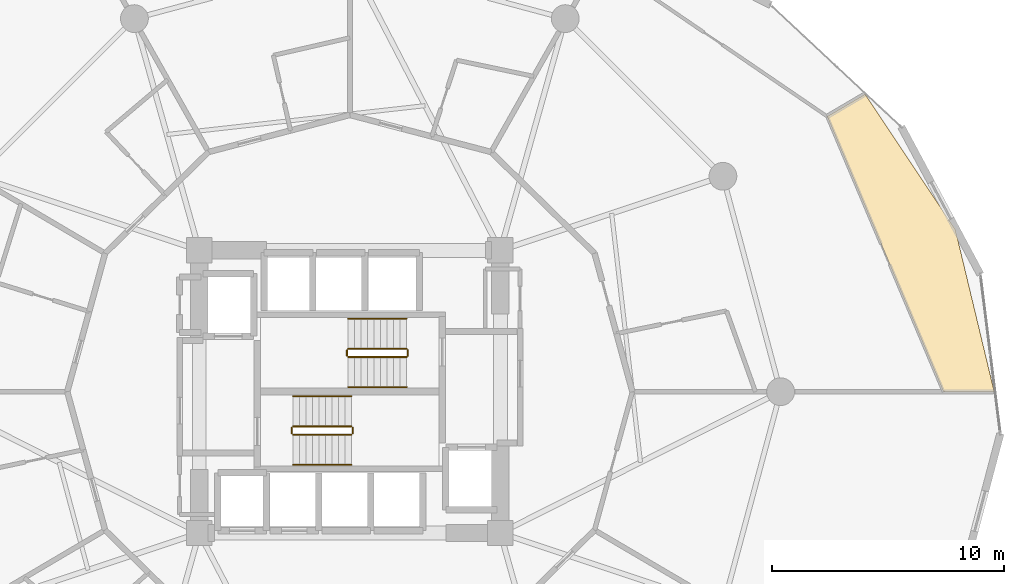
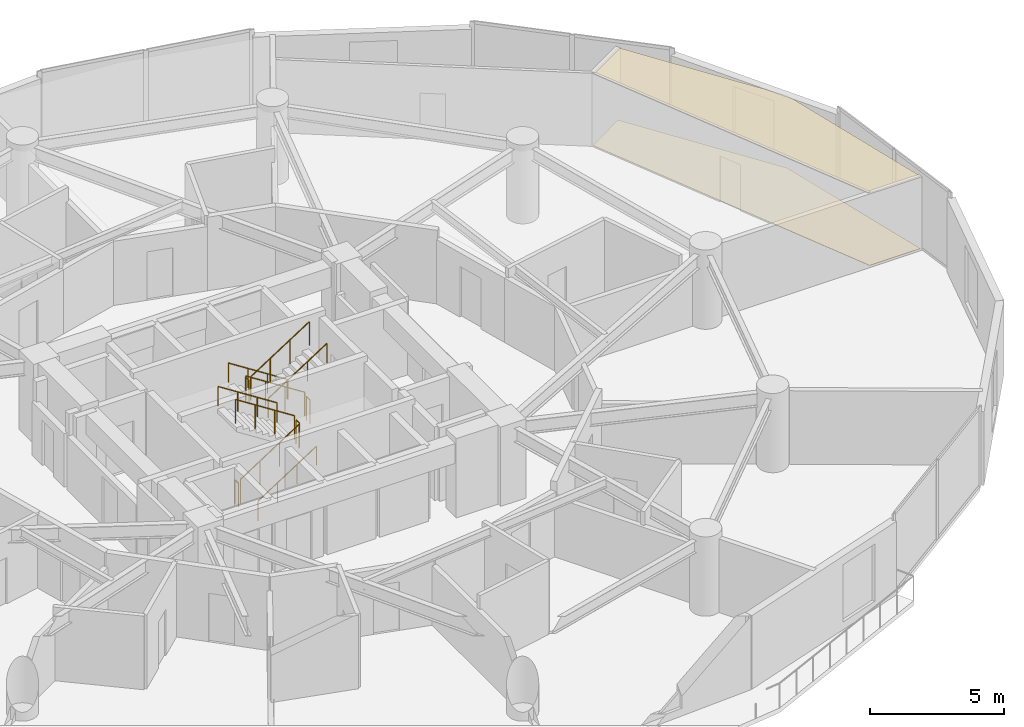
# One storey, part 25 of 26: 12 railings, 2 coverings.
"""IFC4 building model written with IfcOpenShell, lengths in metres."""

from ifc_helpers import new_model, si_unit, direction, frame, origin, origin_2d, place, context, subcontext, project, spatial, polyline, circle, outline, extrude, material, layer, layer_set, type_object, element, save


model = new_model("IFC4")

# Units and contexts
model_context = context("Model", 3, precision=1e-05, world=origin(), true_north=direction((0.0, 1.0)))
body_context = subcontext(model_context, "Body", "Model", "MODEL_VIEW")
ifc_project = project(units=[si_unit("LENGTHUNIT", "METRE"), si_unit("AREAUNIT", "SQUARE_METRE"), si_unit("VOLUMEUNIT", "CUBIC_METRE"), si_unit("PLANEANGLEUNIT", "RADIAN"), si_unit("MASSUNIT", "GRAM", prefix="KILO")], contexts=[model_context])

# Site, building, storey
site_placement = place(None, origin())
site = spatial("IfcSite", under=ifc_project, at=site_placement, CompositionType="ELEMENT")
building_placement = place(site_placement, origin())
building = spatial("IfcBuilding", under=site, at=building_placement, Name="Solvirekh Grand Hotel", CompositionType="ELEMENT")
storey_placement = place(building_placement, frame((0.0, 0.0, 35.60009765625)))
storey = spatial("IfcBuildingStorey", under=building, at=storey_placement, Name="L07", CompositionType="ELEMENT", Elevation=35.60009765625)

# Coverings
ifc_material_1 = material(Name="Acoustic Mineral Ceiling Tile")
ifc_layer_1 = layer(ifc_material_1, 0.02490234375)
ifc_layer_set_1 = layer_set([ifc_layer_1], Name="Acoustic Mineral Ceiling Tile")
covering_type_1 = type_object("IfcCoveringType", Name="Cov_Ceiling_Acoustic", PredefinedType="CEILING", material=ifc_layer_set_1)
covering_1_placement = place(storey_placement, frame((0.0, 0.0, 3.289794921875)))
element("IfcCovering", 1, at=covering_1_placement, inside=storey, type_object=covering_type_1, Name="L07 Executive Suite 0901 Master Bedroom acoustic ceiling", PredefinedType="CEILING", context=body_context, shape_type="SweptSolid", body=[
    extrude(outline(polyline([(27.822021484375, 0.0), (26.14208984375, 7.0048828125), (22.248046875, 12.844970703125), (20.613037109375, 11.883056640625), (25.635009765625, 0.0), (27.822021484375, 0.0)])), origin(), (0.0, 0.0, 1.0), 0.01806640625),
])
ifc_material_2 = material(Name="Porcelain Stoneware Flooring", Category="masonry")
ifc_layer_2 = layer(ifc_material_2, 0.030029296875)
ifc_layer_set_2 = layer_set([ifc_layer_2], Name="Porcelain Stoneware Flooring")
covering_type_2 = type_object("IfcCoveringType", Name="Cov_Floor_Stone", PredefinedType="FLOORING", material=ifc_layer_set_2)
covering_2_placement = place(storey_placement, origin())
element("IfcCovering", 2, at=covering_2_placement, inside=storey, type_object=covering_type_2, Name="L07 Executive Suite 0901 Master Bedroom polished granite flooring", PredefinedType="FLOORING", context=body_context, shape_type="SweptSolid", body=[
    extrude(outline(polyline([(27.822021484375, 0.0), (26.14208984375, 7.0048828125), (22.248046875, 12.844970703125), (20.613037109375, 11.883056640625), (25.635009765625, 0.0), (27.822021484375, 0.0)])), origin(), (0.0, 0.0, 1.0), 0.02001953125),
])

# Railings
ifc_material_3 = material(Name="Steel S355", Category="steel")
railing_type_1 = type_object("IfcRailingType", Name="Guard_Stair_1100", PredefinedType="GUARDRAIL", material=ifc_material_3)
railing_1_placement = place(storey_placement, frame((-2.449951171875, -1.85009765625, 0.179931640625)))
element("IfcRailing", 3, at=railing_1_placement, inside=storey, type_object=railing_type_1, Name="L07 ST-1 stair guard 1", PredefinedType="GUARDRAIL", context=body_context, shape_type="SweptSolid", body=[
    extrude(circle(Radius=0.02392578125, at=origin_2d()), frame((0.0, 0.0, 1.076171875), z_axis=(0.841199657755, 0.0, 0.540724639528), x_axis=(0.0, 1.0, 0.0)), (0.0, 0.0, 1.0), 2.995849609375),
    extrude(circle(Radius=0.02099609375, at=origin_2d()), origin(), (0.0, 0.0, 1.0), 1.052001953125),
    extrude(circle(Radius=0.02099609375, at=origin_2d()), frame((0.840087890625, 0.0, 0.5400390625)), (0.0, 0.0, 1.0), 1.052001953125),
    extrude(circle(Radius=0.02099609375, at=origin_2d()), frame((1.679931640625, 0.0, 1.079833984375)), (0.0, 0.0, 1.0), 1.052001953125),
    extrude(circle(Radius=0.02099609375, at=origin_2d()), frame((2.52001953125, 0.0, 1.619873046875)), (0.0, 0.0, 1.0), 1.052001953125),
])
railing_2_placement = place(storey_placement, frame((0.1201171875, -1.800048828125, 1.7998046875)))
element("IfcRailing", 4, at=railing_2_placement, inside=storey, type_object=railing_type_1, Name="L07 ST-1 stair guard 2", PredefinedType="GUARDRAIL", context=body_context, shape_type="SweptSolid", body=[
    extrude(circle(Radius=0.02392578125, at=origin_2d()), frame((0.0, 0.0, 1.076171875), z_axis=(0.0, 1.0, 0.0), x_axis=(-1.0, 0.0, 0.0)), (0.0, 0.0, 1.0), 0.25),
    extrude(circle(Radius=0.02099609375, at=origin_2d()), origin(), (0.0, 0.0, 1.0), 1.052001953125),
    extrude(circle(Radius=0.02099609375, at=origin_2d()), frame((0.0, 0.25, 0.0)), (0.0, 0.0, 1.0), 1.052001953125),
])
railing_3_placement = place(storey_placement, frame((0.070068359375, -1.5, 1.97998046875)))
element("IfcRailing", 5, at=railing_3_placement, inside=storey, type_object=railing_type_1, Name="L07 ST-1 stair guard 3", PredefinedType="GUARDRAIL", context=body_context, shape_type="SweptSolid", body=[
    extrude(circle(Radius=0.02392578125, at=origin_2d()), frame((0.0, 0.0, 1.076171875), z_axis=(-0.841199657755, 0.0, 0.540724639528), x_axis=(0.0, -1.0, 0.0)), (0.0, 0.0, 1.0), 2.995849609375),
    extrude(circle(Radius=0.02099609375, at=origin_2d()), origin(), (0.0, 0.0, 1.0), 1.052001953125),
    extrude(circle(Radius=0.02099609375, at=origin_2d()), frame((-0.840087890625, 0.0, 0.5400390625)), (0.0, 0.0, 1.0), 1.052001953125),
    extrude(circle(Radius=0.02099609375, at=origin_2d()), frame((-1.679931640625, 0.0, 1.079833984375)), (0.0, 0.0, 1.0), 1.052001953125),
    extrude(circle(Radius=0.02099609375, at=origin_2d()), frame((-2.52001953125, 0.0, 1.619873046875)), (0.0, 0.0, 1.0), 1.052001953125),
])
railing_4_placement = place(storey_placement, frame((-2.5, -1.800048828125, 0.0)))
element("IfcRailing", 6, at=railing_4_placement, inside=storey, type_object=railing_type_1, Name="L07 ST-1 stair guard 4", PredefinedType="GUARDRAIL", context=body_context, shape_type="SweptSolid", body=[
    extrude(circle(Radius=0.02392578125, at=origin_2d()), frame((0.0, 0.0, 1.076171875), z_axis=(0.0, 1.0, 0.0), x_axis=(-1.0, 0.0, 0.0)), (0.0, 0.0, 1.0), 0.25),
    extrude(circle(Radius=0.02099609375, at=origin_2d()), origin(), (0.0, 0.0, 1.0), 1.052001953125),
    extrude(circle(Radius=0.02099609375, at=origin_2d()), frame((0.0, 0.25, 0.0)), (0.0, 0.0, 1.0), 1.052001953125),
])
railing_5_placement = place(storey_placement, frame((2.449951171875, 1.85009765625, 0.179931640625)))
element("IfcRailing", 7, at=railing_5_placement, inside=storey, type_object=railing_type_1, Name="L07 ST-2 stair guard 1", PredefinedType="GUARDRAIL", context=body_context, shape_type="SweptSolid", body=[
    extrude(circle(Radius=0.02392578125, at=origin_2d()), frame((0.0, 0.0, 1.076171875), z_axis=(-0.841199657755, 0.0, 0.540724639528), x_axis=(0.0, -1.0, 0.0)), (0.0, 0.0, 1.0), 2.995849609375),
    extrude(circle(Radius=0.02099609375, at=origin_2d()), origin(), (0.0, 0.0, 1.0), 1.052001953125),
    extrude(circle(Radius=0.02099609375, at=origin_2d()), frame((-0.840087890625, 0.0, 0.5400390625)), (0.0, 0.0, 1.0), 1.052001953125),
    extrude(circle(Radius=0.02099609375, at=origin_2d()), frame((-1.679931640625, 0.0, 1.079833984375)), (0.0, 0.0, 1.0), 1.052001953125),
    extrude(circle(Radius=0.02099609375, at=origin_2d()), frame((-2.52001953125, 0.0, 1.619873046875)), (0.0, 0.0, 1.0), 1.052001953125),
])
railing_6_placement = place(storey_placement, frame((-0.1201171875, 1.800048828125, 1.7998046875)))
element("IfcRailing", 8, at=railing_6_placement, inside=storey, type_object=railing_type_1, Name="L07 ST-2 stair guard 2", PredefinedType="GUARDRAIL", context=body_context, shape_type="SweptSolid", body=[
    extrude(circle(Radius=0.02392578125, at=origin_2d()), frame((0.0, 0.0, 1.076171875), z_axis=(0.0, -1.0, 0.0), x_axis=(1.0, 0.0, 0.0)), (0.0, 0.0, 1.0), 0.25),
    extrude(circle(Radius=0.02099609375, at=origin_2d()), origin(), (0.0, 0.0, 1.0), 1.052001953125),
    extrude(circle(Radius=0.02099609375, at=origin_2d()), frame((0.0, -0.25, 0.0)), (0.0, 0.0, 1.0), 1.052001953125),
])
railing_7_placement = place(storey_placement, frame((-0.070068359375, 1.5, 1.97998046875)))
element("IfcRailing", 9, at=railing_7_placement, inside=storey, type_object=railing_type_1, Name="L07 ST-2 stair guard 3", PredefinedType="GUARDRAIL", context=body_context, shape_type="SweptSolid", body=[
    extrude(circle(Radius=0.02392578125, at=origin_2d()), frame((0.0, 0.0, 1.076171875), z_axis=(0.841199657755, 0.0, 0.540724639528), x_axis=(0.0, 1.0, 0.0)), (0.0, 0.0, 1.0), 2.995849609375),
    extrude(circle(Radius=0.02099609375, at=origin_2d()), origin(), (0.0, 0.0, 1.0), 1.052001953125),
    extrude(circle(Radius=0.02099609375, at=origin_2d()), frame((0.840087890625, 0.0, 0.5400390625)), (0.0, 0.0, 1.0), 1.052001953125),
    extrude(circle(Radius=0.02099609375, at=origin_2d()), frame((1.679931640625, 0.0, 1.079833984375)), (0.0, 0.0, 1.0), 1.052001953125),
    extrude(circle(Radius=0.02099609375, at=origin_2d()), frame((2.52001953125, 0.0, 1.619873046875)), (0.0, 0.0, 1.0), 1.052001953125),
])
railing_8_placement = place(storey_placement, frame((2.5, 1.800048828125, 0.0)))
element("IfcRailing", 10, at=railing_8_placement, inside=storey, type_object=railing_type_1, Name="L07 ST-2 stair guard 4", PredefinedType="GUARDRAIL", context=body_context, shape_type="SweptSolid", body=[
    extrude(circle(Radius=0.02392578125, at=origin_2d()), frame((0.0, 0.0, 1.076171875), z_axis=(0.0, -1.0, 0.0), x_axis=(1.0, 0.0, 0.0)), (0.0, 0.0, 1.0), 0.25),
    extrude(circle(Radius=0.02099609375, at=origin_2d()), origin(), (0.0, 0.0, 1.0), 1.052001953125),
    extrude(circle(Radius=0.02099609375, at=origin_2d()), frame((0.0, -0.25, 0.0)), (0.0, 0.0, 1.0), 1.052001953125),
])
ifc_material_4 = material(Name="Anodized Bronze Aluminium 6063-T6", Category="aluminium")
railing_type_2 = type_object("IfcRailingType", Name="Handrail_Wall_900", PredefinedType="HANDRAIL", material=ifc_material_4)
railing_9_placement = place(storey_placement, frame((-2.449951171875, -3.14990234375, 0.179931640625)))
element("IfcRailing", 11, at=railing_9_placement, inside=storey, type_object=railing_type_2, Name="L07 ST-1 stair handrail 1", PredefinedType="HANDRAIL", context=body_context, shape_type="SweptSolid", body=[
    extrude(circle(Radius=0.02392578125, at=origin_2d()), frame((0.0, 0.0, 0.8759765625), z_axis=(0.841199657755, 0.0, 0.540724639528), x_axis=(0.0, 1.0, 0.0)), (0.0, 0.0, 1.0), 2.995849609375),
    extrude(circle(Radius=0.02099609375, at=origin_2d()), origin(), (0.0, 0.0, 1.0), 0.851806640625),
    extrude(circle(Radius=0.02099609375, at=origin_2d()), frame((0.840087890625, 0.0, 0.5400390625)), (0.0, 0.0, 1.0), 0.851806640625),
    extrude(circle(Radius=0.02099609375, at=origin_2d()), frame((1.679931640625, 0.0, 1.079833984375)), (0.0, 0.0, 1.0), 0.851806640625),
    extrude(circle(Radius=0.02099609375, at=origin_2d()), frame((2.52001953125, 0.0, 1.619873046875)), (0.0, 0.0, 1.0), 0.851806640625),
])
for number, where, name in (
    (12, (0.070068359375, -0.199951171875, 1.97998046875), "L07 ST-1 stair handrail 2"),
    (13, (2.449951171875, 3.14990234375, 0.179931640625), "L07 ST-2 stair handrail 1"),
):
    element("IfcRailing", number, at=place(storey_placement, frame(where)), inside=storey, type_object=railing_type_2, Name=name, PredefinedType="HANDRAIL", context=body_context, shape_type="SweptSolid", body=[
        extrude(circle(Radius=0.02392578125, at=origin_2d()), frame((0.0, 0.0, 0.8759765625), z_axis=(-0.841199657755, 0.0, 0.540724639528), x_axis=(0.0, -1.0, 0.0)), (0.0, 0.0, 1.0), 2.995849609375),
        extrude(circle(Radius=0.02099609375, at=origin_2d()), origin(), (0.0, 0.0, 1.0), 0.851806640625),
        extrude(circle(Radius=0.02099609375, at=origin_2d()), frame((-0.840087890625, 0.0, 0.5400390625)), (0.0, 0.0, 1.0), 0.851806640625),
        extrude(circle(Radius=0.02099609375, at=origin_2d()), frame((-1.679931640625, 0.0, 1.079833984375)), (0.0, 0.0, 1.0), 0.851806640625),
        extrude(circle(Radius=0.02099609375, at=origin_2d()), frame((-2.52001953125, 0.0, 1.619873046875)), (0.0, 0.0, 1.0), 0.851806640625),
    ])
railing_10_placement = place(storey_placement, frame((-0.070068359375, 0.199951171875, 1.97998046875)))
element("IfcRailing", 14, at=railing_10_placement, inside=storey, type_object=railing_type_2, Name="L07 ST-2 stair handrail 2", PredefinedType="HANDRAIL", context=body_context, shape_type="SweptSolid", body=[
    extrude(circle(Radius=0.02392578125, at=origin_2d()), frame((0.0, 0.0, 0.8759765625), z_axis=(0.841199657755, 0.0, 0.540724639528), x_axis=(0.0, 1.0, 0.0)), (0.0, 0.0, 1.0), 2.995849609375),
    extrude(circle(Radius=0.02099609375, at=origin_2d()), origin(), (0.0, 0.0, 1.0), 0.851806640625),
    extrude(circle(Radius=0.02099609375, at=origin_2d()), frame((0.840087890625, 0.0, 0.5400390625)), (0.0, 0.0, 1.0), 0.851806640625),
    extrude(circle(Radius=0.02099609375, at=origin_2d()), frame((1.679931640625, 0.0, 1.079833984375)), (0.0, 0.0, 1.0), 0.851806640625),
    extrude(circle(Radius=0.02099609375, at=origin_2d()), frame((2.52001953125, 0.0, 1.619873046875)), (0.0, 0.0, 1.0), 0.851806640625),
])

save(model, "model.ifc")
